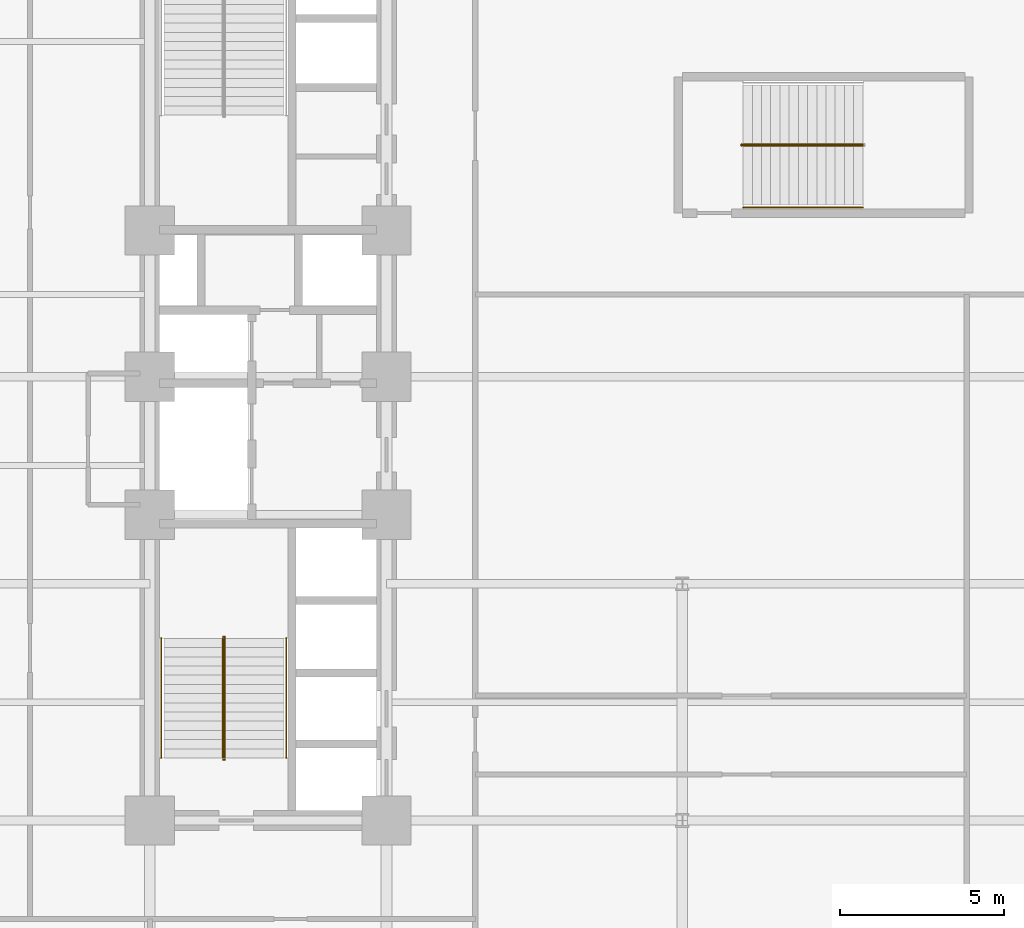
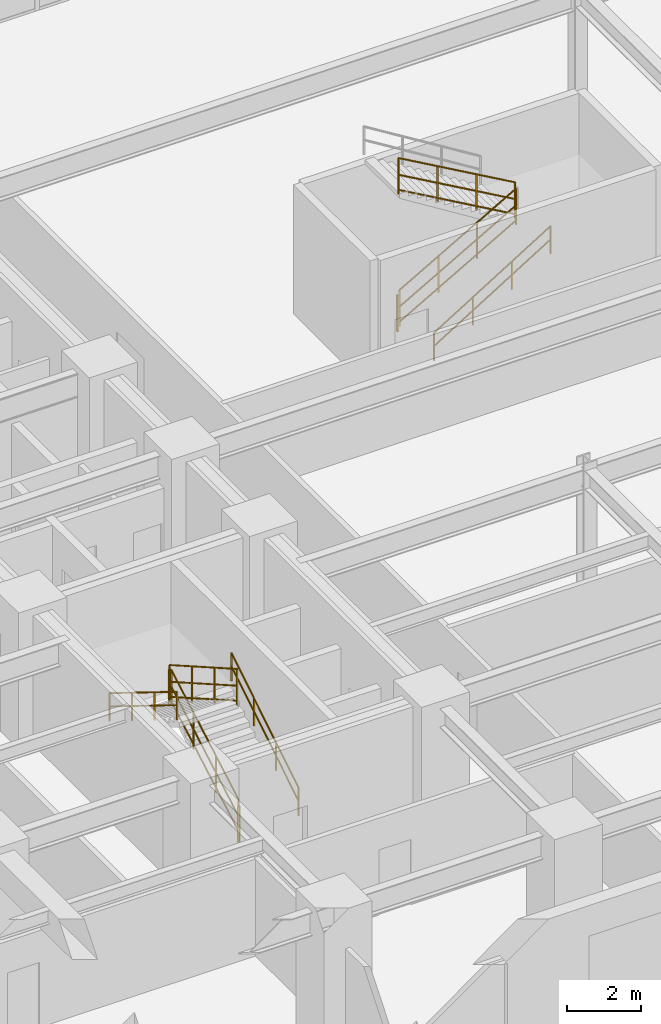
# One storey, part 13 of 15: 10 railings.
"""IFC4 building model written with IfcOpenShell, lengths in metres."""

import ifcopenshell
import ifcopenshell.guid

model = None  # the IFC model being written
_history = None  # IfcOwnerHistory: only IFC2X3 demands one
_inside = {}  # id of a spatial element -> (the spatial element, [elements in it])
_under = {}  # id of a project, library or spatial element -> (it, [spatial elements below it])
_declared = {}  # id of a project -> (the project, [libraries it declares])
_typed = {}  # id of a type object -> (the type object, [elements of that type])
_made_of = {}  # id of a material, layer set ... -> (it, [elements and type objects made of it])


def new_model(schema):
    """Start an empty IFC model of exactly this schema.

    Asked for "IFC4X3", IfcOpenShell would pick the latest addendum, in which some entities
    have other attributes; the version numbers below select the first issue.
    IFC2X3 requires an IfcOwnerHistory on every rooted entity: one is made here for all.
    """
    global model, _history
    if schema == "IFC4X3":
        model = ifcopenshell.file(schema_version=(4, 3, 0, 0))
    else:
        model = ifcopenshell.file(schema=schema)
    _inside.clear()
    _under.clear()
    _declared.clear()
    _typed.clear()
    _made_of.clear()
    _history = None
    if model.schema == "IFC2X3":
        org = make("IfcOrganization", Name="unknown")
        user = make(
            "IfcPersonAndOrganization",
            ThePerson=make("IfcPerson", FamilyName="unknown"),
            TheOrganization=org,
        )
        app = make(
            "IfcApplication",
            ApplicationDeveloper=org,
            Version="unknown",
            ApplicationFullName="unknown",
            ApplicationIdentifier="unknown",
        )
        _history = make(
            "IfcOwnerHistory",
            OwningUser=user,
            OwningApplication=app,
            ChangeAction="ADDED",
            CreationDate=0,
        )
    return model


def make(cls, **values):
    """One entity of the class cls with the attributes given. An attribute that is None is left unset."""
    return model.create_entity(
        cls, **{name: value for name, value in values.items() if value is not None}
    )


def entity(cls, *values):
    """Any entity or typed value of the class cls, its attributes in the order of the schema. None: left unset."""
    e = model.create_entity(cls)
    for i, value in enumerate(values):
        if value is not None:
            e[i] = value
    return e


def rooted(cls, **values):
    """An entity with a GlobalId (a new one), such as an element, a storey or a relation."""
    return make(cls, GlobalId=ifcopenshell.guid.new(), OwnerHistory=_history, **values)


def si_unit(unit_type, name, prefix=None):
    """IfcSIUnit, for example si_unit("LENGTHUNIT", "METRE", prefix="MILLI")."""
    return make("IfcSIUnit", UnitType=unit_type, Prefix=prefix, Name=name)


def converted_unit(unit_type, name, factor, base, dimensions=None, offset=None):
    """IfcConversionBasedUnit, such as the inch: factor (a typed value) times the base unit."""
    return make(
        "IfcConversionBasedUnit"
        if offset is None
        else "IfcConversionBasedUnitWithOffset",
        ConversionOffset=offset,
        Dimensions=None
        if dimensions is None
        else entity("IfcDimensionalExponents", *dimensions),
        UnitType=unit_type,
        Name=name,
        ConversionFactor=make(
            "IfcMeasureWithUnit", ValueComponent=factor, UnitComponent=base
        ),
    )


def assignment(units):
    """IfcUnitAssignment: the units of a project."""
    return None if units is None else make("IfcUnitAssignment", Units=units)


def point(xyz):
    """IfcCartesianPoint."""
    return None if xyz is None else make("IfcCartesianPoint", Coordinates=xyz)


def direction(xyz):
    """IfcDirection."""
    return None if xyz is None else make("IfcDirection", DirectionRatios=xyz)


def frame(location, z_axis=None, x_axis=None):
    """IfcAxis2Placement3D, a coordinate frame: its origin and axes. An axis left out is left unset."""
    return make(
        "IfcAxis2Placement3D",
        Location=point(location),
        Axis=direction(z_axis),
        RefDirection=direction(x_axis),
    )


def frame_2d(location, x_axis=None):
    """IfcAxis2Placement2D, a coordinate frame in the plane: its origin and x axis."""
    return make(
        "IfcAxis2Placement2D", Location=point(location), RefDirection=direction(x_axis)
    )


def origin_with_axes():
    """The frame at (0, 0, 0) with the z axis (0, 0, 1) and the x axis (1, 0, 0) written out."""
    return frame((0.0, 0.0, 0.0), z_axis=(0.0, 0.0, 1.0), x_axis=(1.0, 0.0, 0.0))


def origin_2d_with_axis():
    """The frame at (0, 0) in the plane with the x axis (1, 0) written out."""
    return frame_2d((0.0, 0.0), x_axis=(1.0, 0.0))


def place(relative_to, where):
    """IfcLocalPlacement: puts the frame where relative to a parent placement (None: the world)."""
    return make(
        "IfcLocalPlacement", PlacementRelTo=relative_to, RelativePlacement=where
    )


def context(
    kind, dimensions, precision=None, world=None, true_north=None, identifier=None
):
    """IfcGeometricRepresentationContext, for example the 3D "Model" context."""
    return make(
        "IfcGeometricRepresentationContext",
        ContextIdentifier=identifier,
        ContextType=kind,
        CoordinateSpaceDimension=dimensions,
        Precision=precision,
        WorldCoordinateSystem=world,
        TrueNorth=true_north,
    )


def subcontext(parent, identifier, kind, view, scale=None):
    """IfcGeometricRepresentationSubContext, for example "Body" below "Model"."""
    return make(
        "IfcGeometricRepresentationSubContext",
        ContextIdentifier=identifier,
        ContextType=kind,
        ParentContext=parent,
        TargetScale=scale,
        TargetView=view,
    )


def project(units=None, contexts=None):
    """IfcProject with its units and contexts."""
    return rooted(
        "IfcProject",
        Name="project",
        RepresentationContexts=contexts,
        UnitsInContext=assignment(units),
    )


def spatial(cls, under=None, at=None, **own):
    """A site, building, storey or space (cls), placed at a placement, below another one or the project."""
    s = rooted(cls, ObjectPlacement=at, **own)
    if under is not None:
        _under.setdefault(under.id(), (under, []))[1].append(s)
    return s


def profile(cls, at=None, kind="AREA", **sizes):
    """A parametric profile (cls). Its sizes go by their IFC names, for example OverallWidth=200.0."""
    return make(cls, ProfileType=kind, Position=at, **sizes)


def rectangle(**sizes):
    """IfcRectangleProfileDef."""
    return profile("IfcRectangleProfileDef", **sizes)


def circle(**sizes):
    """IfcCircleProfileDef."""
    return profile("IfcCircleProfileDef", **sizes)


def extrude(swept, where, along, depth):
    """IfcExtrudedAreaSolid: the profile swept, set in the frame where, extruded along a direction by depth."""
    return make(
        "IfcExtrudedAreaSolid",
        SweptArea=swept,
        Position=where,
        ExtrudedDirection=direction(along),
        Depth=depth,
    )


def shape(context_of_items, identifier, shape_type, items):
    """IfcShapeRepresentation: the items that make up one representation, for example the "Body"."""
    return make(
        "IfcShapeRepresentation",
        ContextOfItems=context_of_items,
        RepresentationIdentifier=identifier,
        RepresentationType=shape_type,
        Items=items,
    )


def material(Name=None, Category=None):
    """IfcMaterial."""
    return make("IfcMaterial", Name=Name, Category=Category)


def made_of(thing, what):
    """Note that an element or type object is made of a material, layer set ...; save() writes the relation."""
    if what is not None:
        _made_of.setdefault(what.id(), (what, []))[1].append(thing)
    return thing


def type_object(cls, material=None, **own):
    """A type object (cls), such as IfcWallType, which elements share."""
    return made_of(rooted(cls, **own), material)


def element(
    cls,
    number,
    at=None,
    inside=None,
    cuts=None,
    type_object=None,
    material=None,
    context=None,
    identifier="Body",
    shape_type=None,
    held_by="IfcProductDefinitionShape",
    body=None,
    shapes=None,
    **own,
):
    """One element of the class cls, such as IfcWall. Its Tag is "e" and its number.

    at: its placement. inside: the storey or other place that contains it. cuts: it is an
    opening in that element (IfcRelVoidsElement). A single representation is given by context,
    identifier, shape_type and body (its items); several are given by shapes. held_by: the class
    of the entity that holds the representations. save() writes the other relations.
    """
    e = rooted(cls, Tag="e%d" % number, ObjectPlacement=at, **own)
    if body is not None:
        shapes = [shape(context, identifier, shape_type, body)]
    if shapes is not None:
        e.Representation = make(held_by, Representations=shapes)
    if inside is not None:
        _inside.setdefault(inside.id(), (inside, []))[1].append(e)
    if cuts is not None:
        rooted(
            "IfcRelVoidsElement", RelatingBuildingElement=cuts, RelatedOpeningElement=e
        )
    if type_object is not None:
        _typed.setdefault(type_object.id(), (type_object, []))[1].append(e)
    return made_of(e, material)


def aggregate(whole, parts):
    """IfcRelAggregates: a whole, such as a stair, and the parts it consists of."""
    return rooted("IfcRelAggregates", RelatingObject=whole, RelatedObjects=parts)


def save(model, path):
    """Write the relations noted so far, then the file.

    IfcRelAggregates (storeys below a building ...), IfcRelContainedInSpatialStructure (elements
    in a storey), IfcRelDefinesByType, IfcRelAssociatesMaterial and IfcRelDeclares: one each for
    every whole, place, type object, material and project.
    """
    for whole, parts in _under.values():
        aggregate(whole, parts)
    for where, things in _inside.values():
        rooted(
            "IfcRelContainedInSpatialStructure",
            RelatedElements=things,
            RelatingStructure=where,
        )
    for kind, things in _typed.values():
        rooted("IfcRelDefinesByType", RelatedObjects=things, RelatingType=kind)
    for what, things in _made_of.values():
        rooted("IfcRelAssociatesMaterial", RelatedObjects=things, RelatingMaterial=what)
    for by, libraries in _declared.values():
        rooted("IfcRelDeclares", RelatingContext=by, RelatedDefinitions=libraries)
    model.write(path)


model = new_model("IFC4")

# Units and contexts
model_context = context("Model", 3, precision=1e-05, world=origin_with_axes(), true_north=direction((0.0, 1.0)))
body_context = subcontext(model_context, "Body", "Model", "MODEL_VIEW")
ifc_project = project(units=[si_unit("LENGTHUNIT", "METRE"), si_unit("AREAUNIT", "SQUARE_METRE"), si_unit("VOLUMEUNIT", "CUBIC_METRE"), converted_unit("PLANEANGLEUNIT", "DEGREE", entity("IfcPlaneAngleMeasure", 0.017453292519943295), si_unit("PLANEANGLEUNIT", "RADIAN"), dimensions=[0, 0, 0, 0, 0, 0, 0]), si_unit("MASSUNIT", "GRAM", prefix="KILO"), si_unit("THERMODYNAMICTEMPERATUREUNIT", "KELVIN")], contexts=[model_context])

# Site, building, storey
site_placement = place(None, origin_with_axes())
site = spatial("IfcSite", under=ifc_project, at=site_placement, CompositionType="ELEMENT")
building_placement = place(site_placement, origin_with_axes())
building = spatial("IfcBuilding", under=site, at=building_placement, Name="Varnlund Millrace Tower", CompositionType="ELEMENT")
storey_placement = place(building_placement, frame((0.0, 0.0, 10.8), z_axis=(0.0, 0.0, 1.0), x_axis=(1.0, 0.0, 0.0)))
storey = spatial("IfcBuildingStorey", under=building, at=storey_placement, Name="L02", CompositionType="ELEMENT", Elevation=10.8)

# Railings
ifc_material_1 = material(Name="Painted steel stair well balustrade guard", Category="steel")
railing_type_1 = type_object("IfcRailingType", Name="Type-StairGuard-1150", PredefinedType="GUARDRAIL", material=ifc_material_1)
railing_1_placement = place(storey_placement, frame((0.0, 0.0, -10.8), z_axis=(0.0, 0.0, 1.0), x_axis=(1.0, 0.0, 0.0)))
element("IfcRailing", 1, at=railing_1_placement, inside=storey, type_object=railing_type_1, Name="Type-StairGuard-1150", PredefinedType="GUARDRAIL", context=body_context, shape_type="SweptSolid", body=[
    extrude(circle(Radius=0.024, at=origin_2d_with_axis()), frame((13.675, 12.7, 12.123077), z_axis=(0.0, 0.868559, 0.495585), x_axis=(-1.0, 0.0, 0.0)), (0.0, 0.0, 1.0), 4.190848),
    extrude(circle(Radius=0.024, at=origin_2d_with_axis()), frame((13.675, 12.7, 11.073077), z_axis=(0.0, 0.868559, 0.495585), x_axis=(-1.0, 0.0, 0.0)), (0.0, 0.0, 1.0), 4.190848),
    extrude(circle(Radius=0.024, at=origin_2d_with_axis()), frame((13.675, 12.7, 11.571077), z_axis=(0.0, 0.868559, 0.495585), x_axis=(-1.0, 0.0, 0.0)), (0.0, 0.0, 1.0), 4.190848),
    extrude(rectangle(XDim=0.04, YDim=0.04, at=origin_2d_with_axis()), frame((13.675, 12.7, 10.933077), z_axis=(0.0, 0.0, 1.0), x_axis=(1.0, 0.0, 0.0)), (0.0, 0.0, 1.0), 1.19),
    extrude(rectangle(XDim=0.04, YDim=0.04, at=origin_2d_with_axis()), frame((13.675, 13.913333, 11.625385), z_axis=(0.0, 0.0, 1.0), x_axis=(1.0, 0.0, 0.0)), (0.0, 0.0, 1.0), 1.19),
    extrude(rectangle(XDim=0.04, YDim=0.04, at=origin_2d_with_axis()), frame((13.675, 15.126667, 12.317692), z_axis=(0.0, 0.0, 1.0), x_axis=(1.0, 0.0, 0.0)), (0.0, 0.0, 1.0), 1.19),
    extrude(rectangle(XDim=0.04, YDim=0.04, at=origin_2d_with_axis()), frame((13.675, 16.34, 13.01), z_axis=(0.0, 0.0, 1.0), x_axis=(1.0, 0.0, 0.0)), (0.0, 0.0, 1.0), 1.19),
])
railing_2_placement = place(storey_placement, frame((0.0, 0.0, -10.8), z_axis=(0.0, 0.0, 1.0), x_axis=(1.0, 0.0, 0.0)))
element("IfcRailing", 2, at=railing_2_placement, inside=storey, type_object=railing_type_1, Name="Type-StairGuard-1150", PredefinedType="GUARDRAIL", context=body_context, shape_type="SweptSolid", body=[
    extrude(circle(Radius=0.024, at=origin_2d_with_axis()), frame((13.625, 16.39, 14.2), z_axis=(1.0, 0.0, 0.0), x_axis=(0.0, 1.0, 0.0)), (0.0, 0.0, 1.0), 0.05),
    extrude(circle(Radius=0.024, at=origin_2d_with_axis()), frame((13.625, 16.39, 13.15), z_axis=(1.0, 0.0, 0.0), x_axis=(0.0, 1.0, 0.0)), (0.0, 0.0, 1.0), 0.05),
    extrude(circle(Radius=0.024, at=origin_2d_with_axis()), frame((13.625, 16.39, 13.648), z_axis=(1.0, 0.0, 0.0), x_axis=(0.0, 1.0, 0.0)), (0.0, 0.0, 1.0), 0.05),
    extrude(rectangle(XDim=0.04, YDim=0.04, at=origin_2d_with_axis()), frame((13.625, 16.39, 13.01), z_axis=(0.0, 0.0, 1.0), x_axis=(1.0, 0.0, 0.0)), (0.0, 0.0, 1.0), 1.19),
    extrude(rectangle(XDim=0.04, YDim=0.04, at=origin_2d_with_axis()), frame((13.675, 16.39, 13.01), z_axis=(0.0, 0.0, 1.0), x_axis=(1.0, 0.0, 0.0)), (0.0, 0.0, 1.0), 1.19),
])
railing_3_placement = place(storey_placement, frame((0.0, 0.0, -10.8), z_axis=(0.0, 0.0, 1.0), x_axis=(1.0, 0.0, 0.0)))
element("IfcRailing", 3, at=railing_3_placement, inside=storey, type_object=railing_type_1, Name="Type-StairGuard-1150", PredefinedType="GUARDRAIL", context=body_context, shape_type="SweptSolid", body=[
    extrude(circle(Radius=0.024, at=origin_2d_with_axis()), frame((13.625, 16.34, 14.373077), z_axis=(0.0, -0.868559, 0.495585), x_axis=(1.0, 0.0, 0.0)), (0.0, 0.0, 1.0), 4.190848),
    extrude(circle(Radius=0.024, at=origin_2d_with_axis()), frame((13.625, 16.34, 13.323077), z_axis=(0.0, -0.868559, 0.495585), x_axis=(1.0, 0.0, 0.0)), (0.0, 0.0, 1.0), 4.190848),
    extrude(circle(Radius=0.024, at=origin_2d_with_axis()), frame((13.625, 16.34, 13.821077), z_axis=(0.0, -0.868559, 0.495585), x_axis=(1.0, 0.0, 0.0)), (0.0, 0.0, 1.0), 4.190848),
    extrude(rectangle(XDim=0.04, YDim=0.04, at=origin_2d_with_axis()), frame((13.625, 16.34, 13.183077), z_axis=(0.0, 0.0, 1.0), x_axis=(1.0, 0.0, 0.0)), (0.0, 0.0, 1.0), 1.19),
    extrude(rectangle(XDim=0.04, YDim=0.04, at=origin_2d_with_axis()), frame((13.625, 15.126667, 13.875385), z_axis=(0.0, 0.0, 1.0), x_axis=(1.0, 0.0, 0.0)), (0.0, 0.0, 1.0), 1.19),
    extrude(rectangle(XDim=0.04, YDim=0.04, at=origin_2d_with_axis()), frame((13.625, 13.913333, 14.567692), z_axis=(0.0, 0.0, 1.0), x_axis=(1.0, 0.0, 0.0)), (0.0, 0.0, 1.0), 1.19),
    extrude(rectangle(XDim=0.04, YDim=0.04, at=origin_2d_with_axis()), frame((13.625, 12.7, 15.26), z_axis=(0.0, 0.0, 1.0), x_axis=(1.0, 0.0, 0.0)), (0.0, 0.0, 1.0), 1.19),
])
railing_4_placement = place(storey_placement, frame((0.0, 0.0, -10.8), z_axis=(0.0, 0.0, 1.0), x_axis=(1.0, 0.0, 0.0)))
element("IfcRailing", 4, at=railing_4_placement, inside=storey, type_object=railing_type_1, Name="Type-StairGuard-1150", PredefinedType="GUARDRAIL", context=body_context, shape_type="SweptSolid", body=[
    extrude(circle(Radius=0.024, at=origin_2d_with_axis()), frame((13.625, 12.65, 11.95), z_axis=(1.0, 0.0, 0.0), x_axis=(0.0, 1.0, 0.0)), (0.0, 0.0, 1.0), 0.05),
    extrude(circle(Radius=0.024, at=origin_2d_with_axis()), frame((13.625, 12.65, 10.9), z_axis=(1.0, 0.0, 0.0), x_axis=(0.0, 1.0, 0.0)), (0.0, 0.0, 1.0), 0.05),
    extrude(circle(Radius=0.024, at=origin_2d_with_axis()), frame((13.625, 12.65, 11.398), z_axis=(1.0, 0.0, 0.0), x_axis=(0.0, 1.0, 0.0)), (0.0, 0.0, 1.0), 0.05),
    extrude(rectangle(XDim=0.04, YDim=0.04, at=origin_2d_with_axis()), frame((13.625, 12.65, 10.76), z_axis=(0.0, 0.0, 1.0), x_axis=(1.0, 0.0, 0.0)), (0.0, 0.0, 1.0), 1.19),
    extrude(rectangle(XDim=0.04, YDim=0.04, at=origin_2d_with_axis()), frame((13.675, 12.65, 10.76), z_axis=(0.0, 0.0, 1.0), x_axis=(1.0, 0.0, 0.0)), (0.0, 0.0, 1.0), 1.19),
])
railing_5_placement = place(storey_placement, frame((0.0, 0.0, -10.8), z_axis=(0.0, 0.0, 1.0), x_axis=(1.0, 0.0, 0.0)))
element("IfcRailing", 5, at=railing_5_placement, inside=storey, type_object=railing_type_1, Name="Type-StairGuard-1150", PredefinedType="GUARDRAIL", context=body_context, shape_type="SweptSolid", body=[
    extrude(circle(Radius=0.024, at=origin_2d_with_axis()), frame((29.45, 31.325, 12.123077), z_axis=(0.868559, 0.0, 0.495585), x_axis=(0.0, 1.0, 0.0)), (0.0, 0.0, 1.0), 4.190848),
    extrude(circle(Radius=0.024, at=origin_2d_with_axis()), frame((29.45, 31.325, 11.073077), z_axis=(0.868559, 0.0, 0.495585), x_axis=(0.0, 1.0, 0.0)), (0.0, 0.0, 1.0), 4.190848),
    extrude(circle(Radius=0.024, at=origin_2d_with_axis()), frame((29.45, 31.325, 11.571077), z_axis=(0.868559, 0.0, 0.495585), x_axis=(0.0, 1.0, 0.0)), (0.0, 0.0, 1.0), 4.190848),
    extrude(rectangle(XDim=0.04, YDim=0.04, at=origin_2d_with_axis()), frame((29.45, 31.325, 10.933077), z_axis=(0.0, 0.0, 1.0), x_axis=(1.0, 0.0, 0.0)), (0.0, 0.0, 1.0), 1.19),
    extrude(rectangle(XDim=0.04, YDim=0.04, at=origin_2d_with_axis()), frame((30.663333, 31.325, 11.625385), z_axis=(0.0, 0.0, 1.0), x_axis=(1.0, 0.0, 0.0)), (0.0, 0.0, 1.0), 1.19),
    extrude(rectangle(XDim=0.04, YDim=0.04, at=origin_2d_with_axis()), frame((31.876667, 31.325, 12.317692), z_axis=(0.0, 0.0, 1.0), x_axis=(1.0, 0.0, 0.0)), (0.0, 0.0, 1.0), 1.19),
    extrude(rectangle(XDim=0.04, YDim=0.04, at=origin_2d_with_axis()), frame((33.09, 31.325, 13.01), z_axis=(0.0, 0.0, 1.0), x_axis=(1.0, 0.0, 0.0)), (0.0, 0.0, 1.0), 1.19),
])
railing_6_placement = place(storey_placement, frame((0.0, 0.0, -10.8), z_axis=(0.0, 0.0, 1.0), x_axis=(1.0, 0.0, 0.0)))
element("IfcRailing", 6, at=railing_6_placement, inside=storey, type_object=railing_type_1, Name="Type-StairGuard-1150", PredefinedType="GUARDRAIL", context=body_context, shape_type="SweptSolid", body=[
    extrude(circle(Radius=0.024, at=origin_2d_with_axis()), frame((33.09, 31.375, 14.373077), z_axis=(-0.868559, 0.0, 0.495585), x_axis=(0.0, -1.0, 0.0)), (0.0, 0.0, 1.0), 4.190848),
    extrude(circle(Radius=0.024, at=origin_2d_with_axis()), frame((33.09, 31.375, 13.323077), z_axis=(-0.868559, 0.0, 0.495585), x_axis=(0.0, -1.0, 0.0)), (0.0, 0.0, 1.0), 4.190848),
    extrude(circle(Radius=0.024, at=origin_2d_with_axis()), frame((33.09, 31.375, 13.821077), z_axis=(-0.868559, 0.0, 0.495585), x_axis=(0.0, -1.0, 0.0)), (0.0, 0.0, 1.0), 4.190848),
    extrude(rectangle(XDim=0.04, YDim=0.04, at=origin_2d_with_axis()), frame((33.09, 31.375, 13.183077), z_axis=(0.0, 0.0, 1.0), x_axis=(1.0, 0.0, 0.0)), (0.0, 0.0, 1.0), 1.19),
    extrude(rectangle(XDim=0.04, YDim=0.04, at=origin_2d_with_axis()), frame((31.876667, 31.375, 13.875385), z_axis=(0.0, 0.0, 1.0), x_axis=(1.0, 0.0, 0.0)), (0.0, 0.0, 1.0), 1.19),
    extrude(rectangle(XDim=0.04, YDim=0.04, at=origin_2d_with_axis()), frame((30.663333, 31.375, 14.567692), z_axis=(0.0, 0.0, 1.0), x_axis=(1.0, 0.0, 0.0)), (0.0, 0.0, 1.0), 1.19),
    extrude(rectangle(XDim=0.04, YDim=0.04, at=origin_2d_with_axis()), frame((29.45, 31.375, 15.26), z_axis=(0.0, 0.0, 1.0), x_axis=(1.0, 0.0, 0.0)), (0.0, 0.0, 1.0), 1.19),
])
railing_7_placement = place(storey_placement, frame((0.0, 0.0, -10.8), z_axis=(0.0, 0.0, 1.0), x_axis=(1.0, 0.0, 0.0)))
element("IfcRailing", 7, at=railing_7_placement, inside=storey, type_object=railing_type_1, Name="Type-StairGuard-1150", PredefinedType="GUARDRAIL", context=body_context, shape_type="SweptSolid", body=[
    extrude(circle(Radius=0.024, at=origin_2d_with_axis()), frame((29.4, 31.375, 11.95), z_axis=(0.0, -1.0, 0.0), x_axis=(1.0, 0.0, 0.0)), (0.0, 0.0, 1.0), 0.05),
    extrude(circle(Radius=0.024, at=origin_2d_with_axis()), frame((29.4, 31.375, 10.9), z_axis=(0.0, -1.0, 0.0), x_axis=(1.0, 0.0, 0.0)), (0.0, 0.0, 1.0), 0.05),
    extrude(circle(Radius=0.024, at=origin_2d_with_axis()), frame((29.4, 31.375, 11.398), z_axis=(0.0, -1.0, 0.0), x_axis=(1.0, 0.0, 0.0)), (0.0, 0.0, 1.0), 0.05),
    extrude(rectangle(XDim=0.04, YDim=0.04, at=origin_2d_with_axis()), frame((29.4, 31.375, 10.76), z_axis=(0.0, 0.0, 1.0), x_axis=(1.0, 0.0, 0.0)), (0.0, 0.0, 1.0), 1.19),
    extrude(rectangle(XDim=0.04, YDim=0.04, at=origin_2d_with_axis()), frame((29.4, 31.325, 10.76), z_axis=(0.0, 0.0, 1.0), x_axis=(1.0, 0.0, 0.0)), (0.0, 0.0, 1.0), 1.19),
])
ifc_material_2 = material(Name="Brushed architectural bronze stair handrail", Category="aluminium")
railing_type_2 = type_object("IfcRailingType", Name="Type-StairHandrail-900", PredefinedType="HANDRAIL", material=ifc_material_2)
railing_8_placement = place(storey_placement, frame((0.0, 0.0, -10.8), z_axis=(0.0, 0.0, 1.0), x_axis=(1.0, 0.0, 0.0)))
element("IfcRailing", 8, at=railing_8_placement, inside=storey, type_object=railing_type_2, Name="Type-StairHandrail-900", PredefinedType="HANDRAIL", context=body_context, shape_type="SweptSolid", body=[
    extrude(circle(Radius=0.024, at=origin_2d_with_axis()), frame((15.55, 12.7, 11.852662), z_axis=(0.0, 0.850614, 0.525791), x_axis=(-1.0, 0.0, 0.0)), (0.0, 0.0, 1.0), 4.279264),
    extrude(circle(Radius=0.024, at=origin_2d_with_axis()), frame((15.55, 12.7, 11.41287), z_axis=(0.0, 0.850614, 0.525791), x_axis=(-1.0, 0.0, 0.0)), (0.0, 0.0, 1.0), 4.279264),
    extrude(rectangle(XDim=0.04, YDim=0.04, at=origin_2d_with_axis()), frame((15.55, 12.7, 10.933077), z_axis=(0.0, 0.0, 1.0), x_axis=(1.0, 0.0, 0.0)), (0.0, 0.0, 1.0), 0.919585),
    extrude(rectangle(XDim=0.04, YDim=0.04, at=origin_2d_with_axis()), frame((15.55, 13.913333, 11.683077), z_axis=(0.0, 0.0, 1.0), x_axis=(1.0, 0.0, 0.0)), (0.0, 0.0, 1.0), 0.919585),
    extrude(rectangle(XDim=0.04, YDim=0.04, at=origin_2d_with_axis()), frame((15.55, 15.126667, 12.433077), z_axis=(0.0, 0.0, 1.0), x_axis=(1.0, 0.0, 0.0)), (0.0, 0.0, 1.0), 0.919585),
    extrude(rectangle(XDim=0.04, YDim=0.04, at=origin_2d_with_axis()), frame((15.55, 16.34, 13.183077), z_axis=(0.0, 0.0, 1.0), x_axis=(1.0, 0.0, 0.0)), (0.0, 0.0, 1.0), 0.919585),
])
railing_9_placement = place(storey_placement, frame((0.0, 0.0, -10.8), z_axis=(0.0, 0.0, 1.0), x_axis=(1.0, 0.0, 0.0)))
element("IfcRailing", 9, at=railing_9_placement, inside=storey, type_object=railing_type_2, Name="Type-StairHandrail-900", PredefinedType="HANDRAIL", context=body_context, shape_type="SweptSolid", body=[
    extrude(circle(Radius=0.024, at=origin_2d_with_axis()), frame((11.75, 16.34, 14.102662), z_axis=(0.0, -0.850614, 0.525791), x_axis=(1.0, 0.0, 0.0)), (0.0, 0.0, 1.0), 4.279264),
    extrude(circle(Radius=0.024, at=origin_2d_with_axis()), frame((11.75, 16.34, 13.66287), z_axis=(0.0, -0.850614, 0.525791), x_axis=(1.0, 0.0, 0.0)), (0.0, 0.0, 1.0), 4.279264),
    extrude(rectangle(XDim=0.04, YDim=0.04, at=origin_2d_with_axis()), frame((11.75, 16.34, 13.183077), z_axis=(0.0, 0.0, 1.0), x_axis=(1.0, 0.0, 0.0)), (0.0, 0.0, 1.0), 0.919585),
    extrude(rectangle(XDim=0.04, YDim=0.04, at=origin_2d_with_axis()), frame((11.75, 15.126667, 13.933077), z_axis=(0.0, 0.0, 1.0), x_axis=(1.0, 0.0, 0.0)), (0.0, 0.0, 1.0), 0.919585),
    extrude(rectangle(XDim=0.04, YDim=0.04, at=origin_2d_with_axis()), frame((11.75, 13.913333, 14.683077), z_axis=(0.0, 0.0, 1.0), x_axis=(1.0, 0.0, 0.0)), (0.0, 0.0, 1.0), 0.919585),
    extrude(rectangle(XDim=0.04, YDim=0.04, at=origin_2d_with_axis()), frame((11.75, 12.7, 15.433077), z_axis=(0.0, 0.0, 1.0), x_axis=(1.0, 0.0, 0.0)), (0.0, 0.0, 1.0), 0.919585),
])
railing_10_placement = place(storey_placement, frame((0.0, 0.0, -10.8), z_axis=(0.0, 0.0, 1.0), x_axis=(1.0, 0.0, 0.0)))
element("IfcRailing", 10, at=railing_10_placement, inside=storey, type_object=railing_type_2, Name="Type-StairHandrail-900", PredefinedType="HANDRAIL", context=body_context, shape_type="SweptSolid", body=[
    extrude(circle(Radius=0.024, at=origin_2d_with_axis()), frame((29.45, 29.45, 11.852662), z_axis=(0.850614, 0.0, 0.525791), x_axis=(0.0, 1.0, 0.0)), (0.0, 0.0, 1.0), 4.279264),
    extrude(circle(Radius=0.024, at=origin_2d_with_axis()), frame((29.45, 29.45, 11.41287), z_axis=(0.850614, 0.0, 0.525791), x_axis=(0.0, 1.0, 0.0)), (0.0, 0.0, 1.0), 4.279264),
    extrude(rectangle(XDim=0.04, YDim=0.04, at=origin_2d_with_axis()), frame((29.45, 29.45, 10.933077), z_axis=(0.0, 0.0, 1.0), x_axis=(1.0, 0.0, 0.0)), (0.0, 0.0, 1.0), 0.919585),
    extrude(rectangle(XDim=0.04, YDim=0.04, at=origin_2d_with_axis()), frame((30.663333, 29.45, 11.683077), z_axis=(0.0, 0.0, 1.0), x_axis=(1.0, 0.0, 0.0)), (0.0, 0.0, 1.0), 0.919585),
    extrude(rectangle(XDim=0.04, YDim=0.04, at=origin_2d_with_axis()), frame((31.876667, 29.45, 12.433077), z_axis=(0.0, 0.0, 1.0), x_axis=(1.0, 0.0, 0.0)), (0.0, 0.0, 1.0), 0.919585),
    extrude(rectangle(XDim=0.04, YDim=0.04, at=origin_2d_with_axis()), frame((33.09, 29.45, 13.183077), z_axis=(0.0, 0.0, 1.0), x_axis=(1.0, 0.0, 0.0)), (0.0, 0.0, 1.0), 0.919585),
])

save(model, "model.ifc")
